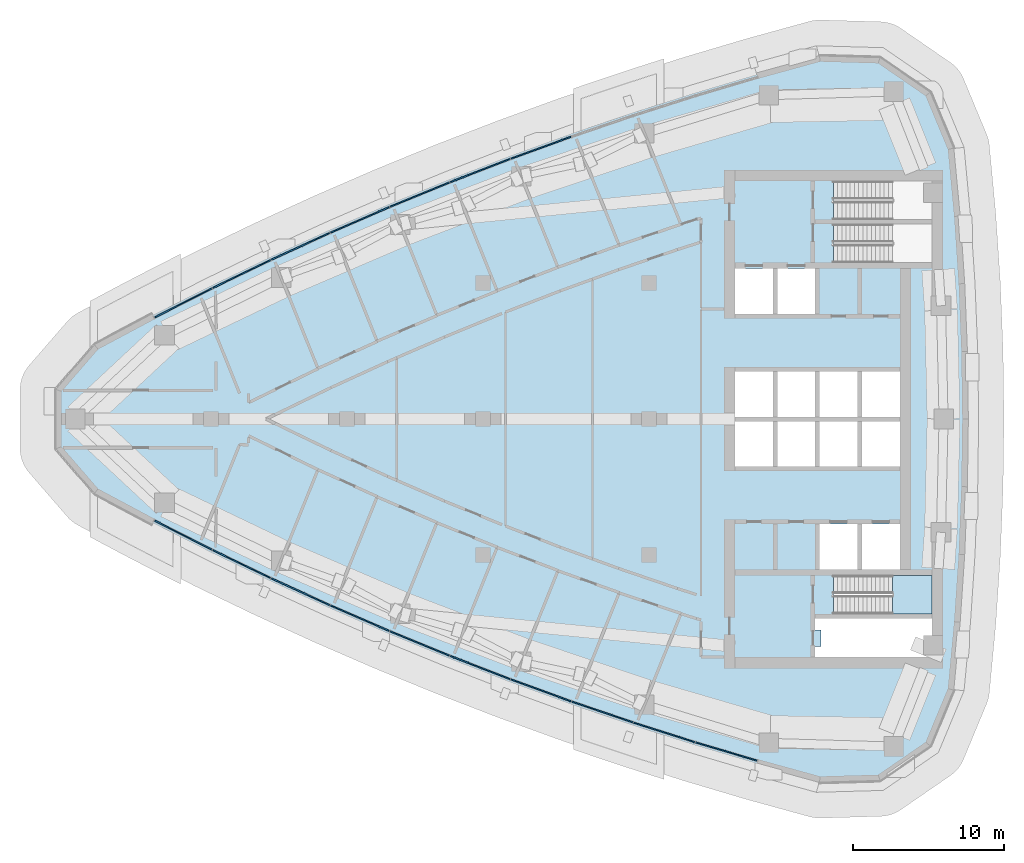
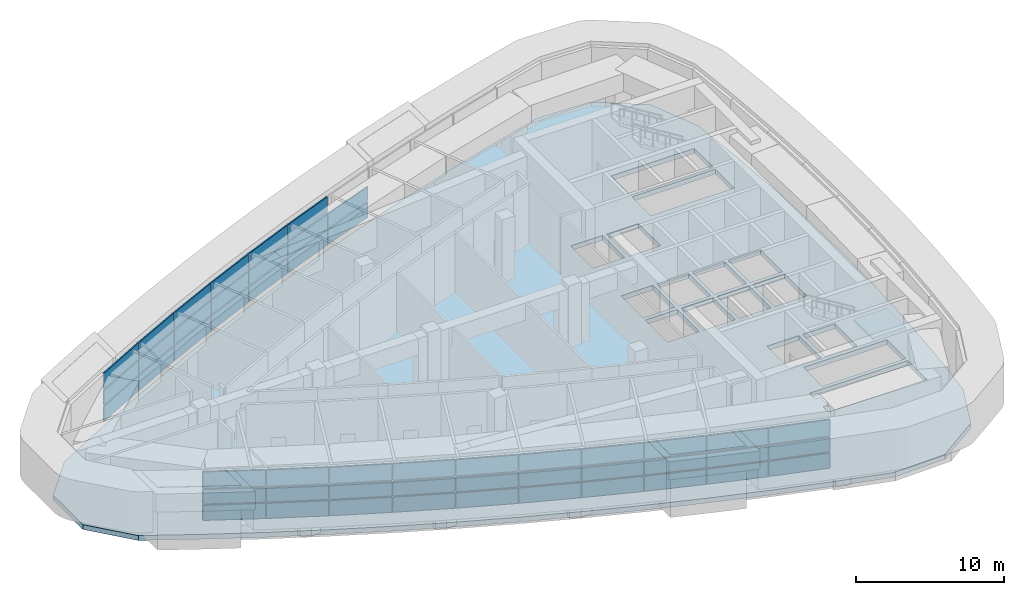
# One storey, part 8 of 17: 50 plates, 2 slabs, 1 opening, 10 elements without a shape of their own.
"""IFC4 building model written with IfcOpenShell, lengths in metres."""

from ifc_helpers import new_model, si_unit, direction, frame, origin, origin_2d, place, context, subcontext, project, spatial, polyline, rectangle, outline, extrude, material, layer, layer_set, type_object, element, aggregate, save


model = new_model("IFC4")

# Units and contexts
model_context = context("Model", 3, precision=1e-05, world=origin(), true_north=direction((0.0, 1.0)))
body_context = subcontext(model_context, "Body", "Model", "MODEL_VIEW")
ifc_project = project(units=[si_unit("LENGTHUNIT", "METRE"), si_unit("AREAUNIT", "SQUARE_METRE"), si_unit("VOLUMEUNIT", "CUBIC_METRE"), si_unit("PLANEANGLEUNIT", "RADIAN"), si_unit("MASSUNIT", "GRAM", prefix="KILO")], contexts=[model_context])

# Site, building, storey
site_placement = place(None, origin())
site = spatial("IfcSite", under=ifc_project, at=site_placement, CompositionType="ELEMENT")
building_placement = place(site_placement, origin())
building = spatial("IfcBuilding", under=site, at=building_placement, Name="Ostrand Prow Hotel Tower", CompositionType="ELEMENT")
storey_placement = place(building_placement, frame((0.0, 0.0, 211.0)))
storey = spatial("IfcBuildingStorey", under=building, at=storey_placement, Name="L53", CompositionType="ELEMENT", Elevation=211.0)

# Curtain wall, plates
ifc_material_1 = material(Name="Insulated glass in bronze anodised frame", Category="glass")
ifc_layer_1 = layer(ifc_material_1, 0.199951171875)
ifc_layer_set_1 = layer_set([ifc_layer_1], Name="Insulated glass in bronze anodised frame")
curtain_wall_type = type_object("IfcCurtainWallType", Name="Plant storey louvre wall", PredefinedType="NOTDEFINED", material=ifc_layer_set_1)
curtain_wall_1_placement = place(storey_placement, origin())
curtain_wall_1 = element("IfcCurtainWall", 1, at=curtain_wall_1_placement, inside=storey, type_object=curtain_wall_type, Name="CW7 run CWS1", PredefinedType="NOTDEFINED")
ifc_material_2 = material(Name="Bronze anodised aluminium louvre", Category="aluminium")
ifc_layer_2 = layer(ifc_material_2, 0.10009765625)
ifc_layer_set_2 = layer_set([ifc_layer_2], Name="Bronze anodised aluminium louvre")
plate_type = type_object("IfcPlateType", Name="Bronze louvre panel 100 mm", PredefinedType="CURTAIN_PANEL", material=ifc_layer_set_2)
plate_1_placement = place(storey_placement, frame((14.17529296875, -7.6865234375, 0.89990234375), z_axis=(0.0, 0.0, 1.0), x_axis=(0.891683792196, -0.452658828186, 0.0)))
plate_1 = element("IfcPlate", 2, at=plate_1_placement, type_object=plate_type, Name="CW7 PN-V panel 1.1", PredefinedType="CURTAIN_PANEL", context=body_context, shape_type="SweptSolid", body=[
    extrude(rectangle(XDim=4.2451171875, YDim=0.10009765625, at=origin_2d()), origin(), (0.0, 0.0, 1.0), 1.239990234375),
])
plate_2_placement = place(storey_placement, frame((14.17529296875, -7.6865234375, 2.26025390625), z_axis=(0.0, 0.0, 1.0), x_axis=(0.891683792196, -0.452658828186, 0.0)))
plate_2 = element("IfcPlate", 3, at=plate_2_placement, type_object=plate_type, Name="CW7 PN-V panel 1.2", PredefinedType="CURTAIN_PANEL", context=body_context, shape_type="SweptSolid", body=[
    extrude(rectangle(XDim=4.2451171875, YDim=0.10009765625, at=origin_2d()), origin(), (0.0, 0.0, 1.0), 1.179931640625),
])
plate_3_placement = place(storey_placement, frame((14.17529296875, -7.6865234375, 3.56005859375), z_axis=(0.0, 0.0, 1.0), x_axis=(0.891683792196, -0.452658828186, 0.0)))
plate_3 = element("IfcPlate", 4, at=plate_3_placement, type_object=plate_type, Name="CW7 PN-V panel 1.3", PredefinedType="CURTAIN_PANEL", context=body_context, shape_type="SweptSolid", body=[
    extrude(rectangle(XDim=4.2451171875, YDim=0.10009765625, at=origin_2d()), origin(), (0.0, 0.0, 1.0), 1.340087890625),
])
plate_4_placement = place(storey_placement, frame((18.033203125, -9.596435546875, 0.89990234375), z_axis=(0.0, 0.0, 1.0), x_axis=(0.90061633232, -0.434615027304, 0.0)))
plate_4 = element("IfcPlate", 5, at=plate_4_placement, type_object=plate_type, Name="CW7 PN-V panel 2.1", PredefinedType="CURTAIN_PANEL", context=body_context, shape_type="SweptSolid", body=[
    extrude(rectangle(XDim=4.2451171875, YDim=0.10009765625, at=origin_2d()), origin(), (0.0, 0.0, 1.0), 1.239990234375),
])
plate_5_placement = place(storey_placement, frame((18.033203125, -9.596435546875, 2.26025390625), z_axis=(0.0, 0.0, 1.0), x_axis=(0.90061633232, -0.434615027304, 0.0)))
plate_5 = element("IfcPlate", 6, at=plate_5_placement, type_object=plate_type, Name="CW7 PN-V panel 2.2", PredefinedType="CURTAIN_PANEL", context=body_context, shape_type="SweptSolid", body=[
    extrude(rectangle(XDim=4.2451171875, YDim=0.10009765625, at=origin_2d()), origin(), (0.0, 0.0, 1.0), 1.179931640625),
])
plate_6_placement = place(storey_placement, frame((18.033203125, -9.596435546875, 3.56005859375), z_axis=(0.0, 0.0, 1.0), x_axis=(0.90061633232, -0.434615027304, 0.0)))
plate_6 = element("IfcPlate", 7, at=plate_6_placement, type_object=plate_type, Name="CW7 PN-V panel 2.3", PredefinedType="CURTAIN_PANEL", context=body_context, shape_type="SweptSolid", body=[
    extrude(rectangle(XDim=4.2451171875, YDim=0.10009765625, at=origin_2d()), origin(), (0.0, 0.0, 1.0), 1.340087890625),
])
aggregate(curtain_wall_1, [plate_1, plate_2, plate_3, plate_4, plate_5, plate_6])

curtain_wall_2_placement = place(storey_placement, origin())
curtain_wall_2 = element("IfcCurtainWall", 8, at=curtain_wall_2_placement, inside=storey, type_object=curtain_wall_type, Name="CW7 run CWS2", PredefinedType="NOTDEFINED")
plate_7_placement = place(storey_placement, frame((21.928955078125, -11.428466796875, 0.89990234375), z_axis=(0.0, 0.0, 1.0), x_axis=(0.909184517226, -0.416393460127, 0.0)))
plate_7 = element("IfcPlate", 9, at=plate_7_placement, type_object=plate_type, Name="CW7 PN-V panel 1.1", PredefinedType="CURTAIN_PANEL", context=body_context, shape_type="SweptSolid", body=[
    extrude(rectangle(XDim=4.2451171875, YDim=0.10009765625, at=origin_2d()), origin(), (0.0, 0.0, 1.0), 1.239990234375),
])
plate_8_placement = place(storey_placement, frame((21.928955078125, -11.428466796875, 2.26025390625), z_axis=(0.0, 0.0, 1.0), x_axis=(0.909184517226, -0.416393460127, 0.0)))
plate_8 = element("IfcPlate", 10, at=plate_8_placement, type_object=plate_type, Name="CW7 PN-V panel 1.2", PredefinedType="CURTAIN_PANEL", context=body_context, shape_type="SweptSolid", body=[
    extrude(rectangle(XDim=4.2451171875, YDim=0.10009765625, at=origin_2d()), origin(), (0.0, 0.0, 1.0), 1.179931640625),
])
plate_9_placement = place(storey_placement, frame((21.928955078125, -11.428466796875, 3.56005859375), z_axis=(0.0, 0.0, 1.0), x_axis=(0.909184517226, -0.416393460127, 0.0)))
plate_9 = element("IfcPlate", 11, at=plate_9_placement, type_object=plate_type, Name="CW7 PN-V panel 1.3", PredefinedType="CURTAIN_PANEL", context=body_context, shape_type="SweptSolid", body=[
    extrude(rectangle(XDim=4.2451171875, YDim=0.10009765625, at=origin_2d()), origin(), (0.0, 0.0, 1.0), 1.340087890625),
])
plate_10_placement = place(storey_placement, frame((25.860595703125, -13.181396484375, 0.89990234375), z_axis=(0.0, 0.0, 1.0), x_axis=(0.917383388347, -0.398004671812, 0.0)))
plate_10 = element("IfcPlate", 12, at=plate_10_placement, type_object=plate_type, Name="CW7 PN-V panel 2.1", PredefinedType="CURTAIN_PANEL", context=body_context, shape_type="SweptSolid", body=[
    extrude(rectangle(XDim=4.2451171875, YDim=0.10009765625, at=origin_2d()), origin(), (0.0, 0.0, 1.0), 1.239990234375),
])
plate_11_placement = place(storey_placement, frame((25.860595703125, -13.181396484375, 2.26025390625), z_axis=(0.0, 0.0, 1.0), x_axis=(0.917383388347, -0.398004671812, 0.0)))
plate_11 = element("IfcPlate", 13, at=plate_11_placement, type_object=plate_type, Name="CW7 PN-V panel 2.2", PredefinedType="CURTAIN_PANEL", context=body_context, shape_type="SweptSolid", body=[
    extrude(rectangle(XDim=4.2451171875, YDim=0.10009765625, at=origin_2d()), origin(), (0.0, 0.0, 1.0), 1.179931640625),
])
plate_12_placement = place(storey_placement, frame((25.860595703125, -13.181396484375, 3.56005859375), z_axis=(0.0, 0.0, 1.0), x_axis=(0.917383388347, -0.398004671812, 0.0)))
plate_12 = element("IfcPlate", 14, at=plate_12_placement, type_object=plate_type, Name="CW7 PN-V panel 2.3", PredefinedType="CURTAIN_PANEL", context=body_context, shape_type="SweptSolid", body=[
    extrude(rectangle(XDim=4.2451171875, YDim=0.10009765625, at=origin_2d()), origin(), (0.0, 0.0, 1.0), 1.340087890625),
])
aggregate(curtain_wall_2, [plate_7, plate_8, plate_9, plate_10, plate_11, plate_12])

curtain_wall_3_placement = place(storey_placement, origin())
curtain_wall_3 = element("IfcCurtainWall", 15, at=curtain_wall_3_placement, inside=storey, type_object=curtain_wall_type, Name="CW7 run CWS3", PredefinedType="NOTDEFINED")
plate_13_placement = place(storey_placement, frame((29.826904296875, -14.85498046875, 0.89990234375), z_axis=(0.0, 0.0, 1.0), x_axis=(0.925211042932, -0.379452929936, 0.0)))
plate_13 = element("IfcPlate", 16, at=plate_13_placement, type_object=plate_type, Name="CW7 PN-V panel 1.1", PredefinedType="CURTAIN_PANEL", context=body_context, shape_type="SweptSolid", body=[
    extrude(rectangle(XDim=4.2451171875, YDim=0.10009765625, at=origin_2d()), origin(), (0.0, 0.0, 1.0), 1.239990234375),
])
plate_14_placement = place(storey_placement, frame((29.826904296875, -14.85498046875, 2.26025390625), z_axis=(0.0, 0.0, 1.0), x_axis=(0.925211042932, -0.379452929936, 0.0)))
plate_14 = element("IfcPlate", 17, at=plate_14_placement, type_object=plate_type, Name="CW7 PN-V panel 1.2", PredefinedType="CURTAIN_PANEL", context=body_context, shape_type="SweptSolid", body=[
    extrude(rectangle(XDim=4.2451171875, YDim=0.10009765625, at=origin_2d()), origin(), (0.0, 0.0, 1.0), 1.179931640625),
])
plate_15_placement = place(storey_placement, frame((29.826904296875, -14.85498046875, 3.56005859375), z_axis=(0.0, 0.0, 1.0), x_axis=(0.925211042932, -0.379452929936, 0.0)))
plate_15 = element("IfcPlate", 18, at=plate_15_placement, type_object=plate_type, Name="CW7 PN-V panel 1.3", PredefinedType="CURTAIN_PANEL", context=body_context, shape_type="SweptSolid", body=[
    extrude(rectangle(XDim=4.2451171875, YDim=0.10009765625, at=origin_2d()), origin(), (0.0, 0.0, 1.0), 1.340087890625),
])
plate_16_placement = place(storey_placement, frame((33.826171875, -16.4482421875, 0.89990234375), z_axis=(0.0, 0.0, 1.0), x_axis=(0.932662950972, -0.360748970732, 0.0)))
plate_16 = element("IfcPlate", 19, at=plate_16_placement, type_object=plate_type, Name="CW7 PN-V panel 2.1", PredefinedType="CURTAIN_PANEL", context=body_context, shape_type="SweptSolid", body=[
    extrude(rectangle(XDim=4.2451171875, YDim=0.10009765625, at=origin_2d()), origin(), (0.0, 0.0, 1.0), 1.239990234375),
])
plate_17_placement = place(storey_placement, frame((33.826171875, -16.4482421875, 2.26025390625), z_axis=(0.0, 0.0, 1.0), x_axis=(0.932662950972, -0.360748970732, 0.0)))
plate_17 = element("IfcPlate", 20, at=plate_17_placement, type_object=plate_type, Name="CW7 PN-V panel 2.2", PredefinedType="CURTAIN_PANEL", context=body_context, shape_type="SweptSolid", body=[
    extrude(rectangle(XDim=4.2451171875, YDim=0.10009765625, at=origin_2d()), origin(), (0.0, 0.0, 1.0), 1.179931640625),
])
plate_18_placement = place(storey_placement, frame((33.826171875, -16.4482421875, 3.56005859375), z_axis=(0.0, 0.0, 1.0), x_axis=(0.932662950972, -0.360748970732, 0.0)))
plate_18 = element("IfcPlate", 21, at=plate_18_placement, type_object=plate_type, Name="CW7 PN-V panel 2.3", PredefinedType="CURTAIN_PANEL", context=body_context, shape_type="SweptSolid", body=[
    extrude(rectangle(XDim=4.2451171875, YDim=0.10009765625, at=origin_2d()), origin(), (0.0, 0.0, 1.0), 1.340087890625),
])
aggregate(curtain_wall_3, [plate_13, plate_14, plate_15, plate_16, plate_17, plate_18])

curtain_wall_4_placement = place(storey_placement, origin())
curtain_wall_4 = element("IfcCurtainWall", 22, at=curtain_wall_4_placement, inside=storey, type_object=curtain_wall_type, Name="CW7 run CWS4", PredefinedType="NOTDEFINED")
plate_19_placement = place(storey_placement, frame((37.8564453125, -17.960693359375, 0.89990234375), z_axis=(0.0, 0.0, 1.0), x_axis=(0.939737383067, -0.341897134919, 0.0)))
plate_19 = element("IfcPlate", 23, at=plate_19_placement, type_object=plate_type, Name="CW7 PN-V panel 1.1", PredefinedType="CURTAIN_PANEL", context=body_context, shape_type="SweptSolid", body=[
    extrude(rectangle(XDim=4.2451171875, YDim=0.10009765625, at=origin_2d()), origin(), (0.0, 0.0, 1.0), 1.239990234375),
])
plate_20_placement = place(storey_placement, frame((37.8564453125, -17.960693359375, 2.26025390625), z_axis=(0.0, 0.0, 1.0), x_axis=(0.939737383067, -0.341897134919, 0.0)))
plate_20 = element("IfcPlate", 24, at=plate_20_placement, type_object=plate_type, Name="CW7 PN-V panel 1.2", PredefinedType="CURTAIN_PANEL", context=body_context, shape_type="SweptSolid", body=[
    extrude(rectangle(XDim=4.2451171875, YDim=0.10009765625, at=origin_2d()), origin(), (0.0, 0.0, 1.0), 1.179931640625),
])
plate_21_placement = place(storey_placement, frame((37.8564453125, -17.960693359375, 3.56005859375), z_axis=(0.0, 0.0, 1.0), x_axis=(0.939737383067, -0.341897134919, 0.0)))
plate_21 = element("IfcPlate", 25, at=plate_21_placement, type_object=plate_type, Name="CW7 PN-V panel 1.3", PredefinedType="CURTAIN_PANEL", context=body_context, shape_type="SweptSolid", body=[
    extrude(rectangle(XDim=4.2451171875, YDim=0.10009765625, at=origin_2d()), origin(), (0.0, 0.0, 1.0), 1.340087890625),
])
plate_22_placement = place(storey_placement, frame((41.91650390625, -19.3916015625, 0.89990234375), z_axis=(0.0, 0.0, 1.0), x_axis=(0.946430245113, -0.322908332404, 0.0)))
plate_22 = element("IfcPlate", 26, at=plate_22_placement, type_object=plate_type, Name="CW7 PN-V panel 2.1", PredefinedType="CURTAIN_PANEL", context=body_context, shape_type="SweptSolid", body=[
    extrude(rectangle(XDim=4.2451171875, YDim=0.10009765625, at=origin_2d()), origin(), (0.0, 0.0, 1.0), 1.239990234375),
])
plate_23_placement = place(storey_placement, frame((41.91650390625, -19.3916015625, 2.26025390625), z_axis=(0.0, 0.0, 1.0), x_axis=(0.946430245113, -0.322908332404, 0.0)))
plate_23 = element("IfcPlate", 27, at=plate_23_placement, type_object=plate_type, Name="CW7 PN-V panel 2.2", PredefinedType="CURTAIN_PANEL", context=body_context, shape_type="SweptSolid", body=[
    extrude(rectangle(XDim=4.2451171875, YDim=0.10009765625, at=origin_2d()), origin(), (0.0, 0.0, 1.0), 1.179931640625),
])
plate_24_placement = place(storey_placement, frame((41.91650390625, -19.3916015625, 3.56005859375), z_axis=(0.0, 0.0, 1.0), x_axis=(0.946430245113, -0.322908332404, 0.0)))
plate_24 = element("IfcPlate", 28, at=plate_24_placement, type_object=plate_type, Name="CW7 PN-V panel 2.3", PredefinedType="CURTAIN_PANEL", context=body_context, shape_type="SweptSolid", body=[
    extrude(rectangle(XDim=4.2451171875, YDim=0.10009765625, at=origin_2d()), origin(), (0.0, 0.0, 1.0), 1.340087890625),
])
aggregate(curtain_wall_4, [plate_19, plate_20, plate_21, plate_22, plate_23, plate_24])

curtain_wall_5_placement = place(storey_placement, origin())
curtain_wall_5 = element("IfcCurtainWall", 29, at=curtain_wall_5_placement, inside=storey, type_object=curtain_wall_type, Name="CW7 run CWS5", PredefinedType="NOTDEFINED")
plate_25_placement = place(storey_placement, frame((46.00439453125, -20.74072265625, 0.89990234375), z_axis=(0.0, 0.0, 1.0), x_axis=(0.952739983864, -0.303786970008, 0.0)))
plate_25 = element("IfcPlate", 30, at=plate_25_placement, type_object=plate_type, Name="CW7 PN-V panel 1.1", PredefinedType="CURTAIN_PANEL", context=body_context, shape_type="SweptSolid", body=[
    extrude(rectangle(XDim=4.2451171875, YDim=0.10009765625, at=origin_2d()), origin(), (0.0, 0.0, 1.0), 1.239990234375),
])
plate_26_placement = place(storey_placement, frame((46.00439453125, -20.74072265625, 2.26025390625), z_axis=(0.0, 0.0, 1.0), x_axis=(0.952739983864, -0.303786970008, 0.0)))
plate_26 = element("IfcPlate", 31, at=plate_26_placement, type_object=plate_type, Name="CW7 PN-V panel 1.2", PredefinedType="CURTAIN_PANEL", context=body_context, shape_type="SweptSolid", body=[
    extrude(rectangle(XDim=4.2451171875, YDim=0.10009765625, at=origin_2d()), origin(), (0.0, 0.0, 1.0), 1.179931640625),
])
plate_27_placement = place(storey_placement, frame((46.00439453125, -20.74072265625, 3.56005859375), z_axis=(0.0, 0.0, 1.0), x_axis=(0.952739983864, -0.303786970008, 0.0)))
plate_27 = element("IfcPlate", 32, at=plate_27_placement, type_object=plate_type, Name="CW7 PN-V panel 1.3", PredefinedType="CURTAIN_PANEL", context=body_context, shape_type="SweptSolid", body=[
    extrude(rectangle(XDim=4.2451171875, YDim=0.10009765625, at=origin_2d()), origin(), (0.0, 0.0, 1.0), 1.340087890625),
])
plate_28_placement = place(storey_placement, frame((50.118896484375, -22.007080078125, 0.89990234375), z_axis=(0.0, 0.0, 1.0), x_axis=(0.958662947758, -0.284544113619, 0.0)))
plate_28 = element("IfcPlate", 33, at=plate_28_placement, type_object=plate_type, Name="CW7 PN-V panel 2.1", PredefinedType="CURTAIN_PANEL", context=body_context, shape_type="SweptSolid", body=[
    extrude(rectangle(XDim=4.2451171875, YDim=0.10009765625, at=origin_2d()), origin(), (0.0, 0.0, 1.0), 1.239990234375),
])
plate_29_placement = place(storey_placement, frame((50.118896484375, -22.007080078125, 2.26025390625), z_axis=(0.0, 0.0, 1.0), x_axis=(0.958662947758, -0.284544113619, 0.0)))
plate_29 = element("IfcPlate", 34, at=plate_29_placement, type_object=plate_type, Name="CW7 PN-V panel 2.2", PredefinedType="CURTAIN_PANEL", context=body_context, shape_type="SweptSolid", body=[
    extrude(rectangle(XDim=4.2451171875, YDim=0.10009765625, at=origin_2d()), origin(), (0.0, 0.0, 1.0), 1.179931640625),
])
plate_30_placement = place(storey_placement, frame((50.118896484375, -22.007080078125, 3.56005859375), z_axis=(0.0, 0.0, 1.0), x_axis=(0.958662947758, -0.284544113619, 0.0)))
plate_30 = element("IfcPlate", 35, at=plate_30_placement, type_object=plate_type, Name="CW7 PN-V panel 2.3", PredefinedType="CURTAIN_PANEL", context=body_context, shape_type="SweptSolid", body=[
    extrude(rectangle(XDim=4.2451171875, YDim=0.10009765625, at=origin_2d()), origin(), (0.0, 0.0, 1.0), 1.340087890625),
])
aggregate(curtain_wall_5, [plate_25, plate_26, plate_27, plate_28, plate_29, plate_30])

curtain_wall_6_placement = place(storey_placement, origin())
curtain_wall_6 = element("IfcCurtainWall", 36, at=curtain_wall_6_placement, inside=storey, type_object=curtain_wall_type, Name="CW7 run CWN2", PredefinedType="NOTDEFINED")
plate_31_placement = place(storey_placement, frame((37.8564453125, 17.960693359375, 0.89990234375), z_axis=(0.0, 0.0, 1.0), x_axis=(-0.939737383067, -0.341897134919, 0.0)))
plate_31 = element("IfcPlate", 37, at=plate_31_placement, type_object=plate_type, Name="CW7 PN-V panel 2.1", PredefinedType="CURTAIN_PANEL", context=body_context, shape_type="SweptSolid", body=[
    extrude(rectangle(XDim=4.2451171875, YDim=0.10009765625, at=origin_2d()), origin(), (0.0, 0.0, 1.0), 1.239990234375),
])
plate_32_placement = place(storey_placement, frame((37.8564453125, 17.960693359375, 2.26025390625), z_axis=(0.0, 0.0, 1.0), x_axis=(-0.939737383067, -0.341897134919, 0.0)))
plate_32 = element("IfcPlate", 38, at=plate_32_placement, type_object=plate_type, Name="CW7 PN-V panel 2.2", PredefinedType="CURTAIN_PANEL", context=body_context, shape_type="SweptSolid", body=[
    extrude(rectangle(XDim=4.2451171875, YDim=0.10009765625, at=origin_2d()), origin(), (0.0, 0.0, 1.0), 1.179931640625),
])
aggregate(curtain_wall_6, [plate_31, plate_32])

curtain_wall_7_placement = place(storey_placement, origin())
curtain_wall_7 = element("IfcCurtainWall", 39, at=curtain_wall_7_placement, inside=storey, type_object=curtain_wall_type, Name="CW7 run CWN3", PredefinedType="NOTDEFINED")
plate_33_placement = place(storey_placement, frame((33.826171875, 16.4482421875, 0.89990234375), z_axis=(0.0, 0.0, 1.0), x_axis=(-0.932662950972, -0.360748970732, 0.0)))
plate_33 = element("IfcPlate", 40, at=plate_33_placement, type_object=plate_type, Name="CW7 PN-V panel 1.1", PredefinedType="CURTAIN_PANEL", context=body_context, shape_type="SweptSolid", body=[
    extrude(rectangle(XDim=4.2451171875, YDim=0.10009765625, at=origin_2d()), origin(), (0.0, 0.0, 1.0), 1.239990234375),
])
plate_34_placement = place(storey_placement, frame((33.826171875, 16.4482421875, 2.26025390625), z_axis=(0.0, 0.0, 1.0), x_axis=(-0.932662950972, -0.360748970732, 0.0)))
plate_34 = element("IfcPlate", 41, at=plate_34_placement, type_object=plate_type, Name="CW7 PN-V panel 1.2", PredefinedType="CURTAIN_PANEL", context=body_context, shape_type="SweptSolid", body=[
    extrude(rectangle(XDim=4.2451171875, YDim=0.10009765625, at=origin_2d()), origin(), (0.0, 0.0, 1.0), 1.179931640625),
])
plate_35_placement = place(storey_placement, frame((33.826171875, 16.4482421875, 3.56005859375), z_axis=(0.0, 0.0, 1.0), x_axis=(-0.932662950972, -0.360748970732, 0.0)))
plate_35 = element("IfcPlate", 42, at=plate_35_placement, type_object=plate_type, Name="CW7 PN-V panel 1.3", PredefinedType="CURTAIN_PANEL", context=body_context, shape_type="SweptSolid", body=[
    extrude(rectangle(XDim=4.2451171875, YDim=0.10009765625, at=origin_2d()), origin(), (0.0, 0.0, 1.0), 1.340087890625),
])
plate_36_placement = place(storey_placement, frame((29.826904296875, 14.85498046875, 0.89990234375), z_axis=(0.0, 0.0, 1.0), x_axis=(-0.925211042932, -0.379452929936, 0.0)))
plate_36 = element("IfcPlate", 43, at=plate_36_placement, type_object=plate_type, Name="CW7 PN-V panel 2.1", PredefinedType="CURTAIN_PANEL", context=body_context, shape_type="SweptSolid", body=[
    extrude(rectangle(XDim=4.2451171875, YDim=0.10009765625, at=origin_2d()), origin(), (0.0, 0.0, 1.0), 1.239990234375),
])
plate_37_placement = place(storey_placement, frame((29.826904296875, 14.85498046875, 2.26025390625), z_axis=(0.0, 0.0, 1.0), x_axis=(-0.925211042932, -0.379452929936, 0.0)))
plate_37 = element("IfcPlate", 44, at=plate_37_placement, type_object=plate_type, Name="CW7 PN-V panel 2.2", PredefinedType="CURTAIN_PANEL", context=body_context, shape_type="SweptSolid", body=[
    extrude(rectangle(XDim=4.2451171875, YDim=0.10009765625, at=origin_2d()), origin(), (0.0, 0.0, 1.0), 1.179931640625),
])
plate_38_placement = place(storey_placement, frame((29.826904296875, 14.85498046875, 3.56005859375), z_axis=(0.0, 0.0, 1.0), x_axis=(-0.925211042932, -0.379452929936, 0.0)))
plate_38 = element("IfcPlate", 45, at=plate_38_placement, type_object=plate_type, Name="CW7 PN-V panel 2.3", PredefinedType="CURTAIN_PANEL", context=body_context, shape_type="SweptSolid", body=[
    extrude(rectangle(XDim=4.2451171875, YDim=0.10009765625, at=origin_2d()), origin(), (0.0, 0.0, 1.0), 1.340087890625),
])
aggregate(curtain_wall_7, [plate_33, plate_34, plate_35, plate_36, plate_37, plate_38])

curtain_wall_8_placement = place(storey_placement, origin())
curtain_wall_8 = element("IfcCurtainWall", 46, at=curtain_wall_8_placement, inside=storey, type_object=curtain_wall_type, Name="CW7 run CWN4", PredefinedType="NOTDEFINED")
plate_39_placement = place(storey_placement, frame((25.860595703125, 13.181396484375, 0.89990234375), z_axis=(0.0, 0.0, 1.0), x_axis=(-0.917383388347, -0.398004671812, 0.0)))
plate_39 = element("IfcPlate", 47, at=plate_39_placement, type_object=plate_type, Name="CW7 PN-V panel 1.1", PredefinedType="CURTAIN_PANEL", context=body_context, shape_type="SweptSolid", body=[
    extrude(rectangle(XDim=4.2451171875, YDim=0.10009765625, at=origin_2d()), origin(), (0.0, 0.0, 1.0), 1.239990234375),
])
plate_40_placement = place(storey_placement, frame((25.860595703125, 13.181396484375, 2.26025390625), z_axis=(0.0, 0.0, 1.0), x_axis=(-0.917383388347, -0.398004671812, 0.0)))
plate_40 = element("IfcPlate", 48, at=plate_40_placement, type_object=plate_type, Name="CW7 PN-V panel 1.2", PredefinedType="CURTAIN_PANEL", context=body_context, shape_type="SweptSolid", body=[
    extrude(rectangle(XDim=4.2451171875, YDim=0.10009765625, at=origin_2d()), origin(), (0.0, 0.0, 1.0), 1.179931640625),
])
plate_41_placement = place(storey_placement, frame((25.860595703125, 13.181396484375, 3.56005859375), z_axis=(0.0, 0.0, 1.0), x_axis=(-0.917383388347, -0.398004671812, 0.0)))
plate_41 = element("IfcPlate", 49, at=plate_41_placement, type_object=plate_type, Name="CW7 PN-V panel 1.3", PredefinedType="CURTAIN_PANEL", context=body_context, shape_type="SweptSolid", body=[
    extrude(rectangle(XDim=4.2451171875, YDim=0.10009765625, at=origin_2d()), origin(), (0.0, 0.0, 1.0), 1.340087890625),
])
plate_42_placement = place(storey_placement, frame((21.928955078125, 11.428466796875, 0.89990234375), z_axis=(0.0, 0.0, 1.0), x_axis=(-0.909184517226, -0.416393460127, 0.0)))
plate_42 = element("IfcPlate", 50, at=plate_42_placement, type_object=plate_type, Name="CW7 PN-V panel 2.1", PredefinedType="CURTAIN_PANEL", context=body_context, shape_type="SweptSolid", body=[
    extrude(rectangle(XDim=4.2451171875, YDim=0.10009765625, at=origin_2d()), origin(), (0.0, 0.0, 1.0), 1.239990234375),
])
plate_43_placement = place(storey_placement, frame((21.928955078125, 11.428466796875, 2.26025390625), z_axis=(0.0, 0.0, 1.0), x_axis=(-0.909184517226, -0.416393460127, 0.0)))
plate_43 = element("IfcPlate", 51, at=plate_43_placement, type_object=plate_type, Name="CW7 PN-V panel 2.2", PredefinedType="CURTAIN_PANEL", context=body_context, shape_type="SweptSolid", body=[
    extrude(rectangle(XDim=4.2451171875, YDim=0.10009765625, at=origin_2d()), origin(), (0.0, 0.0, 1.0), 1.179931640625),
])
plate_44_placement = place(storey_placement, frame((21.928955078125, 11.428466796875, 3.56005859375), z_axis=(0.0, 0.0, 1.0), x_axis=(-0.909184517226, -0.416393460127, 0.0)))
plate_44 = element("IfcPlate", 52, at=plate_44_placement, type_object=plate_type, Name="CW7 PN-V panel 2.3", PredefinedType="CURTAIN_PANEL", context=body_context, shape_type="SweptSolid", body=[
    extrude(rectangle(XDim=4.2451171875, YDim=0.10009765625, at=origin_2d()), origin(), (0.0, 0.0, 1.0), 1.340087890625),
])
aggregate(curtain_wall_8, [plate_39, plate_40, plate_41, plate_42, plate_43, plate_44])

curtain_wall_9_placement = place(storey_placement, origin())
curtain_wall_9 = element("IfcCurtainWall", 53, at=curtain_wall_9_placement, inside=storey, type_object=curtain_wall_type, Name="CW7 run CWN5", PredefinedType="NOTDEFINED")
plate_45_placement = place(storey_placement, frame((18.033203125, 9.596435546875, 0.89990234375), z_axis=(0.0, 0.0, 1.0), x_axis=(-0.90061633232, -0.434615027304, 0.0)))
plate_45 = element("IfcPlate", 54, at=plate_45_placement, type_object=plate_type, Name="CW7 PN-V panel 1.1", PredefinedType="CURTAIN_PANEL", context=body_context, shape_type="SweptSolid", body=[
    extrude(rectangle(XDim=4.2451171875, YDim=0.10009765625, at=origin_2d()), origin(), (0.0, 0.0, 1.0), 1.239990234375),
])
plate_46_placement = place(storey_placement, frame((18.033203125, 9.596435546875, 2.26025390625), z_axis=(0.0, 0.0, 1.0), x_axis=(-0.90061633232, -0.434615027304, 0.0)))
plate_46 = element("IfcPlate", 55, at=plate_46_placement, type_object=plate_type, Name="CW7 PN-V panel 1.2", PredefinedType="CURTAIN_PANEL", context=body_context, shape_type="SweptSolid", body=[
    extrude(rectangle(XDim=4.2451171875, YDim=0.10009765625, at=origin_2d()), origin(), (0.0, 0.0, 1.0), 1.179931640625),
])
plate_47_placement = place(storey_placement, frame((18.033203125, 9.596435546875, 3.56005859375), z_axis=(0.0, 0.0, 1.0), x_axis=(-0.90061633232, -0.434615027304, 0.0)))
plate_47 = element("IfcPlate", 56, at=plate_47_placement, type_object=plate_type, Name="CW7 PN-V panel 1.3", PredefinedType="CURTAIN_PANEL", context=body_context, shape_type="SweptSolid", body=[
    extrude(rectangle(XDim=4.2451171875, YDim=0.10009765625, at=origin_2d()), origin(), (0.0, 0.0, 1.0), 1.340087890625),
])
plate_48_placement = place(storey_placement, frame((14.17529296875, 7.6865234375, 0.89990234375), z_axis=(0.0, 0.0, 1.0), x_axis=(-0.891683792196, -0.452658828186, 0.0)))
plate_48 = element("IfcPlate", 57, at=plate_48_placement, type_object=plate_type, Name="CW7 PN-V panel 2.1", PredefinedType="CURTAIN_PANEL", context=body_context, shape_type="SweptSolid", body=[
    extrude(rectangle(XDim=4.2451171875, YDim=0.10009765625, at=origin_2d()), origin(), (0.0, 0.0, 1.0), 1.239990234375),
])
plate_49_placement = place(storey_placement, frame((14.17529296875, 7.6865234375, 2.26025390625), z_axis=(0.0, 0.0, 1.0), x_axis=(-0.891683792196, -0.452658828186, 0.0)))
plate_49 = element("IfcPlate", 58, at=plate_49_placement, type_object=plate_type, Name="CW7 PN-V panel 2.2", PredefinedType="CURTAIN_PANEL", context=body_context, shape_type="SweptSolid", body=[
    extrude(rectangle(XDim=4.2451171875, YDim=0.10009765625, at=origin_2d()), origin(), (0.0, 0.0, 1.0), 1.179931640625),
])
plate_50_placement = place(storey_placement, frame((14.17529296875, 7.6865234375, 3.56005859375), z_axis=(0.0, 0.0, 1.0), x_axis=(-0.891683792196, -0.452658828186, 0.0)))
plate_50 = element("IfcPlate", 59, at=plate_50_placement, type_object=plate_type, Name="CW7 PN-V panel 2.3", PredefinedType="CURTAIN_PANEL", context=body_context, shape_type="SweptSolid", body=[
    extrude(rectangle(XDim=4.2451171875, YDim=0.10009765625, at=origin_2d()), origin(), (0.0, 0.0, 1.0), 1.340087890625),
])
aggregate(curtain_wall_9, [plate_45, plate_46, plate_47, plate_48, plate_49, plate_50])

# Slab, opening
ifc_material_3 = material(Name="Concrete C40/50", Category="concrete")
ifc_layer_3 = layer(ifc_material_3, 0.39990234375)
ifc_layer_set_3 = layer_set([ifc_layer_3], Name="Concrete C40/50")
slab_type_1 = type_object("IfcSlabType", Name="PT flat plate 400 C40/50", PredefinedType="FLOOR", material=ifc_layer_set_3)
slab_1_placement = place(storey_placement, frame((0.0, 0.0, -0.39990234375)))
slab_1 = element("IfcSlab", 60, at=slab_1_placement, inside=storey, type_object=slab_type_1, Name="Floor slab L53-1", PredefinedType="FLOOR", context=body_context, shape_type="SweptSolid", body=[
    extrude(outline(polyline([(8.22216796875, 5.025634765625), (12.06689453125, 7.07568359375), (15.912841796875, 9.0283203125), (19.797607421875, 10.90283203125), (23.718994140625, 12.698974609375), (27.676025390625, 14.41552734375), (31.666748046875, 16.05224609375), (35.689697265625, 17.6083984375), (39.7431640625, 19.0830078125), (43.8251953125, 20.475830078125), (47.934814453125, 21.7861328125), (52.06982421875, 23.013427734375), (56.26220703125, 24.16650390625), (60.3349609375, 24.0498046875), (63.721435546875, 21.719482421875), (65.2861328125, 17.957275390625), (65.70947265625, 13.453369140625), (66.009765625, 8.974365234375), (66.18994140625, 4.48876953125), (66.25, 0.0), (66.18994140625, -4.48876953125), (66.009765625, -8.974365234375), (65.70947265625, -13.453369140625), (65.2861328125, -17.957275390625), (63.721435546875, -21.719482421875), (60.3349609375, -24.0498046875), (56.26220703125, -24.16650390625), (52.06982421875, -23.013427734375), (47.934814453125, -21.7861328125), (43.8251953125, -20.475830078125), (39.7431640625, -19.0830078125), (35.689697265625, -17.6083984375), (31.666748046875, -16.05224609375), (27.676025390625, -14.41552734375), (23.718994140625, -12.698974609375), (19.797607421875, -10.90283203125), (15.912841796875, -9.0283203125), (12.06689453125, -7.07568359375), (8.22216796875, -5.025634765625), (5.614013671875, -2.014892578125), (5.614013671875, 2.014892578125), (8.22216796875, 5.025634765625)]), holes=[polyline([(50.699951171875, 6.949951171875), (53.199951171875, 6.949951171875), (53.199951171875, 9.949951171875), (50.699951171875, 9.949951171875), (50.699951171875, 6.949951171875)]), polyline([(53.5, 6.949951171875), (56.0, 6.949951171875), (56.0, 9.949951171875), (53.5, 9.949951171875), (53.5, 6.949951171875)]), polyline([(50.699951171875, 0.14990234375), (53.199951171875, 0.14990234375), (53.199951171875, 3.14990234375), (50.699951171875, 3.14990234375), (50.699951171875, 0.14990234375)]), polyline([(53.5, 0.14990234375), (56.0, 0.14990234375), (56.0, 3.14990234375), (53.5, 3.14990234375), (53.5, 0.14990234375)]), polyline([(56.300048828125, 0.14990234375), (58.800048828125, 0.14990234375), (58.800048828125, 3.14990234375), (56.300048828125, 3.14990234375), (56.300048828125, 0.14990234375)]), polyline([(59.10009765625, 0.14990234375), (61.60009765625, 0.14990234375), (61.60009765625, 3.14990234375), (59.10009765625, 3.14990234375), (59.10009765625, 0.14990234375)]), polyline([(50.699951171875, -3.14990234375), (53.199951171875, -3.14990234375), (53.199951171875, -0.14990234375), (50.699951171875, -0.14990234375), (50.699951171875, -3.14990234375)]), polyline([(53.5, -3.14990234375), (56.0, -3.14990234375), (56.0, -0.14990234375), (53.5, -0.14990234375), (53.5, -3.14990234375)]), polyline([(56.300048828125, -3.14990234375), (58.800048828125, -3.14990234375), (58.800048828125, -0.14990234375), (56.300048828125, -0.14990234375), (56.300048828125, -3.14990234375)]), polyline([(59.10009765625, -3.14990234375), (61.60009765625, -3.14990234375), (61.60009765625, -0.14990234375), (59.10009765625, -0.14990234375), (59.10009765625, -3.14990234375)]), polyline([(56.300048828125, -9.949951171875), (58.800048828125, -9.949951171875), (58.800048828125, -6.949951171875), (56.300048828125, -6.949951171875), (56.300048828125, -9.949951171875)]), polyline([(59.10009765625, -9.949951171875), (61.60009765625, -9.949951171875), (61.60009765625, -6.949951171875), (59.10009765625, -6.949951171875), (59.10009765625, -9.949951171875)]), polyline([(57.200927734375, 10.35107421875), (57.200927734375, 12.89892578125), (63.718994140625, 12.89892578125), (63.718994140625, 10.35107421875), (57.200927734375, 10.35107421875)]), polyline([(57.200927734375, 13.200927734375), (57.200927734375, 15.7490234375), (63.718994140625, 15.7490234375), (63.718994140625, 13.200927734375), (57.200927734375, 13.200927734375)]), polyline([(57.200927734375, -12.89892578125), (57.200927734375, -10.35107421875), (63.718994140625, -10.35107421875), (63.718994140625, -12.89892578125), (57.200927734375, -12.89892578125)]), polyline([(63.719970703125, -13.199951171875), (63.719970703125, -15.75), (56.0, -15.75), (56.0, -15.050048828125), (56.39990234375, -15.050048828125), (56.39990234375, -13.949951171875), (56.0, -13.949951171875), (56.0, -13.199951171875), (63.719970703125, -13.199951171875)])]), origin(), (0.0, 0.0, 1.0), 0.39990234375),
])
opening_placement = place(slab_1_placement, origin())
element("IfcOpeningElement", 61, at=opening_placement, cuts=slab_1, Name="Shaft opening 1", PredefinedType="OPENING", context=body_context, shape_type="SweptSolid", body=[
    extrude(outline(polyline([(63.719970703125, -13.199951171875), (63.719970703125, -15.75), (56.0, -15.75), (56.0, -15.050048828125), (56.39990234375, -15.050048828125), (56.39990234375, -13.949951171875), (56.0, -13.949951171875), (56.0, -13.199951171875), (63.719970703125, -13.199951171875)])), origin(), (0.0, 0.0, 1.0), 0.39990234375),
])

# Stair, slab
ifc_material_4 = material(Name="Concrete C40/50", Category="concrete")
stair_type = type_object("IfcStairType", Name="Exit stair 1200 upper zone", PredefinedType="HALF_TURN_STAIR", material=ifc_material_4)
stair_placement = place(storey_placement, origin())
stair = element("IfcStair", 62, at=stair_placement, inside=storey, type_object=stair_type, Name="L53 ST2C", PredefinedType="HALF_TURN_STAIR")
ifc_material_5 = material(Name="Concrete C40/50", Category="concrete")
ifc_layer_4 = layer(ifc_material_5, 0.199951171875)
ifc_layer_set_4 = layer_set([ifc_layer_4], Name="Concrete C40/50")
slab_type_2 = type_object("IfcSlabType", Name="Stair landing 200 concrete", PredefinedType="LANDING", material=ifc_layer_set_4)
slab_2_placement = place(storey_placement, frame((0.0, 0.0, 2.39990234375)))
slab_2 = element("IfcSlab", 63, at=slab_2_placement, type_object=slab_type_2, Name="ST2C landing 1", PredefinedType="LANDING", context=body_context, shape_type="SweptSolid", body=[
    extrude(outline(polyline([(61.1201171875, -12.89990234375), (63.719970703125, -12.89990234375), (63.719970703125, -10.35009765625), (61.1201171875, -10.35009765625), (61.1201171875, -12.89990234375)])), origin(), (0.0, 0.0, 1.0), 0.2001953125),
])
aggregate(stair, [slab_2])

save(model, "model.ifc")
